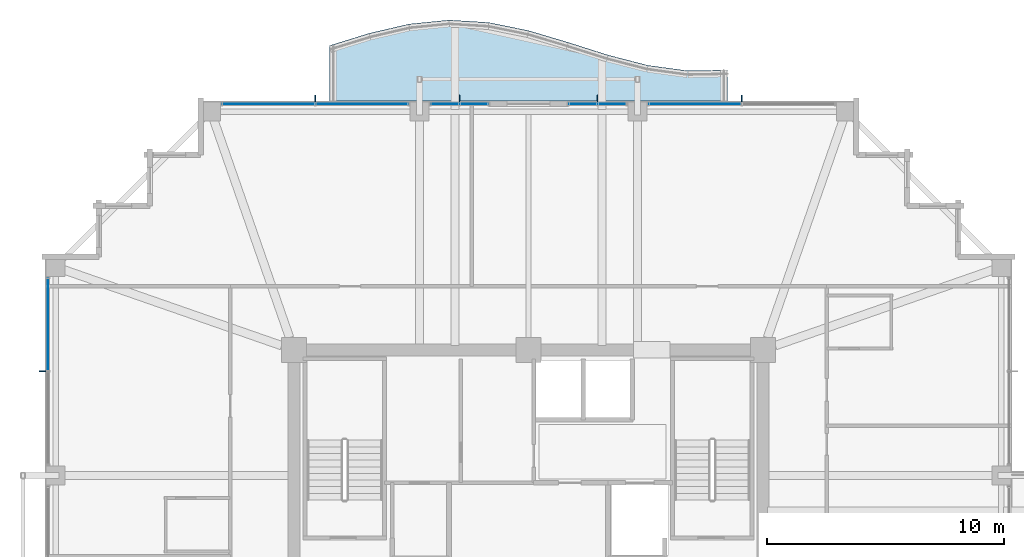
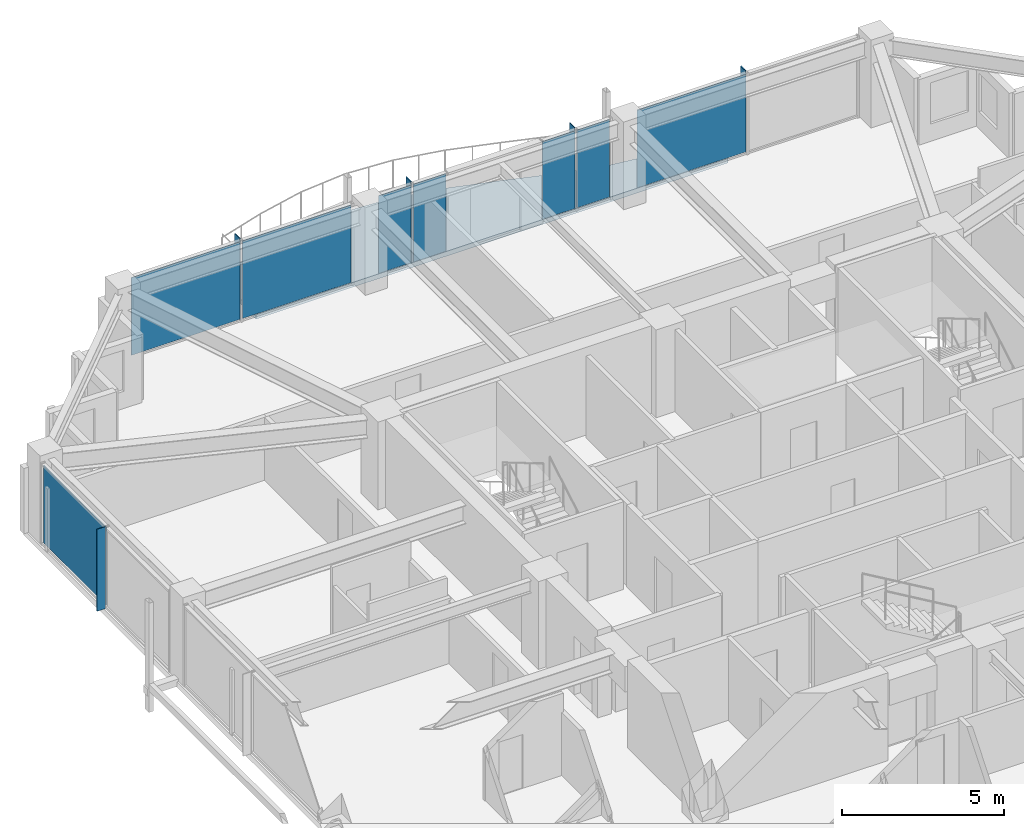
# One storey, part 30 of 38: 13 plates, 1 slab, 5 elements without a shape of their own.
"""IFC4 building model written with IfcOpenShell, lengths in metres."""

from ifc_helpers import new_model, si_unit, direction, frame, origin, origin_2d, place, context, subcontext, project, spatial, polyline, rectangle, outline, extrude, material, layer, layer_set, type_object, element, aggregate, save


model = new_model("IFC4")

# Units and contexts
model_context = context("Model", 3, precision=1e-05, world=origin(), true_north=direction((0.0, 1.0)))
body_context = subcontext(model_context, "Body", "Model", "MODEL_VIEW")
ifc_project = project(units=[si_unit("LENGTHUNIT", "METRE"), si_unit("AREAUNIT", "SQUARE_METRE"), si_unit("VOLUMEUNIT", "CUBIC_METRE"), si_unit("PLANEANGLEUNIT", "RADIAN"), si_unit("MASSUNIT", "GRAM", prefix="KILO")], contexts=[model_context])

# Site, building, storey
site_placement = place(None, origin())
site = spatial("IfcSite", under=ifc_project, at=site_placement, CompositionType="ELEMENT")
building_placement = place(site_placement, origin())
building = spatial("IfcBuilding", under=site, at=building_placement, Name="Kolvaren Belvedere", CompositionType="ELEMENT")
storey_placement = place(building_placement, frame((0.0, 0.0, 206.39990234375)))
storey = spatial("IfcBuildingStorey", under=building, at=storey_placement, Name="L60", CompositionType="ELEMENT", Elevation=206.39990234375)

# Curtain wall, plates
ifc_material_1 = material(Name="Anodised pale-metal aluminium AA 6063-T6", Category="aluminium")
curtain_wall_type = type_object("IfcCurtainWallType", Name="CW-Z5-HIGH", PredefinedType="NOTDEFINED", material=ifc_material_1)
curtain_wall_1_placement = place(storey_placement, origin())
curtain_wall_1 = element("IfcCurtainWall", 1, at=curtain_wall_1_placement, inside=storey, type_object=curtain_wall_type, Name="L60 Unitised Curtain Wall FCW-L60-N1-B1", PredefinedType="NOTDEFINED")
ifc_material_2 = material(Name="Low-iron triple insulated glass", Category="glass")
ifc_layer_1 = layer(ifc_material_2, 0.028076171875)
ifc_layer_set_1 = layer_set([ifc_layer_1], Name="Low-iron triple insulated glass")
plate_type_1 = type_object("IfcPlateType", Name="CW-PNL-VIS28", PredefinedType="CURTAIN_PANEL", material=ifc_layer_set_1)
plate_1_placement = place(storey_placement, frame((-10.972412109375, 20.280029296875, 0.080078125), z_axis=(0.0, 0.0, 1.0), x_axis=(1.0, 0.0, 0.0)))
plate_1 = element("IfcPlate", 2, at=plate_1_placement, type_object=plate_type_1, Name="FCW-L60-N1-B1 Vision Glazing Panel 1", PredefinedType="CURTAIN_PANEL", context=body_context, shape_type="SweptSolid", body=[
    extrude(rectangle(XDim=3.864990234375, YDim=0.028076171875, at=origin_2d()), origin(), (0.0, 0.0, 1.0), 2.919921875),
])
plate_2_placement = place(storey_placement, frame((-7.027587890625, 20.280029296875, 0.080078125), z_axis=(0.0, 0.0, 1.0), x_axis=(1.0, 0.0, 0.0)))
plate_2 = element("IfcPlate", 3, at=plate_2_placement, type_object=plate_type_1, Name="FCW-L60-N1-B1 Vision Glazing Panel 2", PredefinedType="CURTAIN_PANEL", context=body_context, shape_type="SweptSolid", body=[
    extrude(rectangle(XDim=3.864990234375, YDim=0.028076171875, at=origin_2d()), origin(), (0.0, 0.0, 1.0), 2.919921875),
])
aggregate(curtain_wall_1, [plate_1, plate_2])

curtain_wall_2_placement = place(storey_placement, origin())
curtain_wall_2 = element("IfcCurtainWall", 4, at=curtain_wall_2_placement, inside=storey, type_object=curtain_wall_type, Name="L60 Unitised Curtain Wall FCW-L60-N1-B2", PredefinedType="NOTDEFINED")
plate_3_placement = place(storey_placement, frame((-3.52880859375, 20.280029296875, 0.080078125), z_axis=(0.0, 0.0, 1.0), x_axis=(1.0, 0.0, 0.0)))
plate_3 = element("IfcPlate", 5, at=plate_3_placement, type_object=plate_type_1, Name="FCW-L60-N1-B2 Vision Glazing Panel 1", PredefinedType="CURTAIN_PANEL", context=body_context, shape_type="SweptSolid", body=[
    extrude(rectangle(XDim=1.152587890625, YDim=0.028076171875, at=origin_2d()), origin(), (0.0, 0.0, 1.0), 2.919921875),
])
plate_4_placement = place(storey_placement, frame((-2.296142578125, 20.280029296875, 0.080078125), z_axis=(0.0, 0.0, 1.0), x_axis=(1.0, 0.0, 0.0)))
plate_4 = element("IfcPlate", 6, at=plate_4_placement, type_object=plate_type_1, Name="FCW-L60-N1-B2 Vision Glazing Panel 2", PredefinedType="CURTAIN_PANEL", context=body_context, shape_type="SweptSolid", body=[
    extrude(rectangle(XDim=1.152587890625, YDim=0.028076171875, at=origin_2d()), origin(), (0.0, 0.0, 1.0), 2.919921875),
])
aggregate(curtain_wall_2, [plate_3, plate_4])

curtain_wall_3_placement = place(storey_placement, origin())
curtain_wall_3 = element("IfcCurtainWall", 7, at=curtain_wall_3_placement, inside=storey, type_object=curtain_wall_type, Name="L60 Unitised Curtain Wall FCW-L60-N2-B1", PredefinedType="NOTDEFINED")
plate_5_placement = place(storey_placement, frame((2.296142578125, 20.280029296875, 0.080078125), z_axis=(0.0, 0.0, 1.0), x_axis=(1.0, 0.0, 0.0)))
plate_5 = element("IfcPlate", 8, at=plate_5_placement, type_object=plate_type_1, Name="FCW-L60-N2-B1 Vision Glazing Panel 1", PredefinedType="CURTAIN_PANEL", context=body_context, shape_type="SweptSolid", body=[
    extrude(rectangle(XDim=1.152587890625, YDim=0.028076171875, at=origin_2d()), origin(), (0.0, 0.0, 1.0), 2.919921875),
])
plate_6_placement = place(storey_placement, frame((3.52880859375, 20.280029296875, 0.080078125), z_axis=(0.0, 0.0, 1.0), x_axis=(1.0, 0.0, 0.0)))
plate_6 = element("IfcPlate", 9, at=plate_6_placement, type_object=plate_type_1, Name="FCW-L60-N2-B1 Vision Glazing Panel 2", PredefinedType="CURTAIN_PANEL", context=body_context, shape_type="SweptSolid", body=[
    extrude(rectangle(XDim=1.152587890625, YDim=0.028076171875, at=origin_2d()), origin(), (0.0, 0.0, 1.0), 2.919921875),
])
aggregate(curtain_wall_3, [plate_5, plate_6])

# Curtain wall, plate
curtain_wall_4_placement = place(storey_placement, origin())
curtain_wall_4 = element("IfcCurtainWall", 10, at=curtain_wall_4_placement, inside=storey, type_object=curtain_wall_type, Name="L60 Unitised Curtain Wall FCW-L60-N2-B2", PredefinedType="NOTDEFINED")
plate_7_placement = place(storey_placement, frame((7.027587890625, 20.280029296875, 0.080078125), z_axis=(0.0, 0.0, 1.0), x_axis=(1.0, 0.0, 0.0)))
plate_7 = element("IfcPlate", 11, at=plate_7_placement, type_object=plate_type_1, Name="FCW-L60-N2-B2 Vision Glazing Panel 1", PredefinedType="CURTAIN_PANEL", context=body_context, shape_type="SweptSolid", body=[
    extrude(rectangle(XDim=3.864990234375, YDim=0.028076171875, at=origin_2d()), origin(), (0.0, 0.0, 1.0), 2.919921875),
])
aggregate(curtain_wall_4, [plate_7])

curtain_wall_5_placement = place(storey_placement, origin())
curtain_wall_5 = element("IfcCurtainWall", 12, at=curtain_wall_5_placement, inside=storey, type_object=curtain_wall_type, Name="L60 Unitised Curtain Wall FCW-L60-W-B3", PredefinedType="NOTDEFINED")
plate_8_placement = place(storey_placement, frame((-20.280029296875, 10.972412109375, 0.080078125), z_axis=(0.0, 0.0, 1.0), x_axis=(0.0, 1.0, 0.0)))
plate_8 = element("IfcPlate", 13, at=plate_8_placement, type_object=plate_type_1, Name="FCW-L60-W-B3 Vision Glazing Panel 2", PredefinedType="CURTAIN_PANEL", context=body_context, shape_type="SweptSolid", body=[
    extrude(rectangle(XDim=3.864990234375, YDim=0.028076171875, at=origin_2d()), origin(), (0.0, 0.0, 1.0), 2.919921875),
])
aggregate(curtain_wall_5, [plate_8])

# Plates
ifc_material_3 = material(Name="Anodised pale-metal aluminium AA 6063-T6", Category="aluminium")
ifc_layer_2 = layer(ifc_material_3, 0.030029296875)
ifc_layer_set_2 = layer_set([ifc_layer_2], Name="Anodised pale-metal aluminium AA 6063-T6")
plate_type_2 = type_object("IfcPlateType", Name="FIN-VERT-300", PredefinedType="USERDEFINED", material=ifc_layer_set_2)
for number, where, z_axis, x_axis, name in (
    (14, (-9.0, 20.489990234375, 0.0), (0.0, 0.0, 1.0), (0.0, 1.0, 0.0), "L60 Pale-Metal Vertical Shading Fin FCW-L60-N1-B1-1"),
    (15, (-2.91259765625, 20.489990234375, 0.0), (0.0, 0.0, 1.0), (0.0, 1.0, 0.0), "L60 Pale-Metal Vertical Shading Fin FCW-L60-N1-B2-1"),
    (16, (2.91259765625, 20.489990234375, 0.0), (0.0, 0.0, 1.0), (0.0, 1.0, 0.0), "L60 Pale-Metal Vertical Shading Fin FCW-L60-N2-B1-1"),
    (17, (9.0, 20.489990234375, 0.0), (0.0, 0.0, 1.0), (0.0, 1.0, 0.0), "L60 Pale-Metal Vertical Shading Fin FCW-L60-N2-B2-1"),
    (18, (-20.489990234375, 9.0, 0.0), (0.0, 0.0, 1.0), (1.0, 0.0, 0.0), "L60 Pale-Metal Vertical Shading Fin FCW-L60-W-B3-1"),
):
    element("IfcPlate", number, at=place(storey_placement, frame(where, z_axis=z_axis, x_axis=x_axis)), inside=storey, type_object=plate_type_2, Name=name, ObjectType="VERTICAL FIN", PredefinedType="USERDEFINED", context=body_context, shape_type="SweptSolid", body=[
        extrude(rectangle(XDim=0.300048828125, YDim=0.030029296875, at=origin_2d()), origin(), (0.0, 0.0, 1.0), 3.080078125),
    ])

# Slab
ifc_material_4 = material(Name="Concrete C50/60", Category="concrete")
ifc_layer_3 = layer(ifc_material_4, 0.179931640625)
ifc_layer_set_3 = layer_set([ifc_layer_3], Name="Concrete C50/60")
slab_type = type_object("IfcSlabType", Name="SL-BAL-180", PredefinedType="FLOOR", material=ifc_layer_set_3)
slab_placement = place(storey_placement, frame((0.0, 0.0, -0.219970703125)))
element("IfcSlab", 19, at=slab_placement, inside=storey, type_object=slab_type, Name="L60 Planted Balcony BAL-N", PredefinedType="FLOOR", context=body_context, shape_type="SweptSolid", body=[
    extrude(outline(polyline([(-8.39990234375, 20.39990234375), (-6.719970703125, 20.39990234375), (-5.0400390625, 20.39990234375), (-3.360107421875, 20.39990234375), (-1.679931640625, 20.39990234375), (0.0, 20.39990234375), (1.679931640625, 20.39990234375), (3.360107421875, 20.39990234375), (5.0400390625, 20.39990234375), (6.719970703125, 20.39990234375), (8.39990234375, 20.39990234375), (8.39990234375, 21.712890625), (6.719970703125, 21.67919921875), (5.0400390625, 21.90771484375), (3.360107421875, 22.34228515625), (1.679931640625, 22.87548828125), (0.0, 23.374755859375), (-1.679931640625, 23.71728515625), (-3.360107421875, 23.820068359375), (-5.0400390625, 23.65185546875), (-6.719970703125, 23.26025390625), (-8.39990234375, 22.739990234375), (-8.39990234375, 20.39990234375)])), origin(), (0.0, 0.0, 1.0), 0.18017578125),
])

save(model, "model.ifc")
